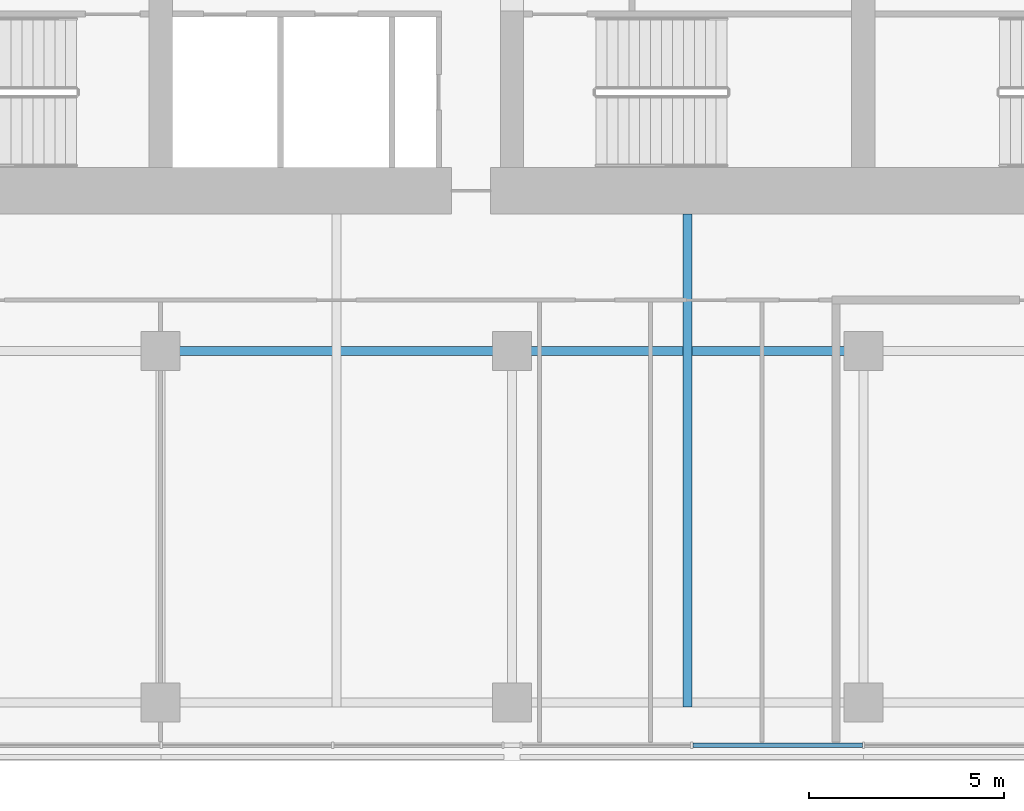
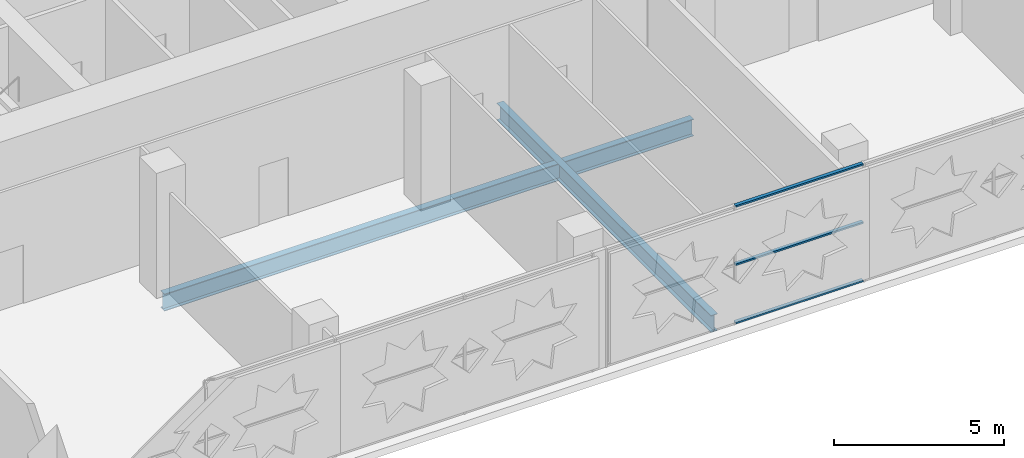
# One storey, part 3 of 21: 3 members, 2 beams, 1 element without a shape of its own.
"""IFC4 building model written with IfcOpenShell, lengths in metres."""

from ifc_helpers import new_model, si_unit, direction, frame, origin, origin_2d, place, context, subcontext, project, spatial, rectangle, i_section, extrude, material, material_profile, profile_set, type_object, element, aggregate, save


model = new_model("IFC4")

# Units and contexts
model_context = context("Model", 3, precision=1e-05, world=origin(), true_north=direction((0.0, 1.0)))
body_context = subcontext(model_context, "Body", "Model", "MODEL_VIEW")
ifc_project = project(units=[si_unit("LENGTHUNIT", "METRE"), si_unit("AREAUNIT", "SQUARE_METRE"), si_unit("VOLUMEUNIT", "CUBIC_METRE"), si_unit("PLANEANGLEUNIT", "RADIAN"), si_unit("MASSUNIT", "GRAM", prefix="KILO")], contexts=[model_context])

# Site, building, storey
site_placement = place(None, origin())
site = spatial("IfcSite", under=ifc_project, at=site_placement, CompositionType="ELEMENT")
building_placement = place(site_placement, origin())
building = spatial("IfcBuilding", under=site, at=building_placement, Name="Zellij Exchange Tower", CompositionType="ELEMENT")
storey_placement = place(building_placement, frame((0.0, 0.0, 43.5)))
storey = spatial("IfcBuildingStorey", under=building, at=storey_placement, Name="L07", CompositionType="ELEMENT", Elevation=43.5)

# Curtain wall, members
ifc_material_1 = material(Name="Aluminium frame, clear insulating glass", Category="aluminium")
curtain_wall_type = type_object("IfcCurtainWallType", Name="ENV-CW1 Sky-garden glazing", PredefinedType="NOTDEFINED", material=ifc_material_1)
curtain_wall_placement = place(storey_placement, origin())
curtain_wall = element("IfcCurtainWall", 1, at=curtain_wall_placement, inside=storey, type_object=curtain_wall_type, Name="cw.L07.00b", PredefinedType="NOTDEFINED")
ifc_material_2 = material(Name="Aluminium", Category="aluminium")
ifc_material_profile_1 = material_profile(ifc_material_2, rectangle(XDim=0.1201171875, YDim=0.06005859375, at=origin_2d()), Name="AL 120x60")
ifc_profile_set_1 = profile_set([ifc_material_profile_1], Name="Aluminium")
member_type = type_object("IfcMemberType", Name="ENV-CW1T Transom 120x60", PredefinedType="USERDEFINED", material=ifc_profile_set_1)
member_1_placement = place(storey_placement, frame((-4.3701171875, -27.60009765625, 0.030029296875), z_axis=(1.0, 0.0, 0.0), x_axis=(0.0, 1.0, 0.0)))
member_1 = element("IfcMember", 2, at=member_1_placement, type_object=member_type, Name="CW1 transom 2.1", ObjectType="TRANSOM", PredefinedType="USERDEFINED", context=body_context, shape_type="SweptSolid", body=[
    extrude(rectangle(XDim=0.1201171875, YDim=0.06005859375, at=origin_2d()), origin(), (0.0, 0.0, 1.0), 4.340087890625),
])
member_2_placement = place(storey_placement, frame((-4.3701171875, -27.60009765625, 2.125), z_axis=(1.0, 0.0, 0.0), x_axis=(0.0, 1.0, 0.0)))
member_2 = element("IfcMember", 3, at=member_2_placement, type_object=member_type, Name="CW1 transom 2.2", ObjectType="TRANSOM", PredefinedType="USERDEFINED", context=body_context, shape_type="SweptSolid", body=[
    extrude(rectangle(XDim=0.1201171875, YDim=0.06005859375, at=origin_2d()), origin(), (0.0, 0.0, 1.0), 4.340087890625),
])
member_3_placement = place(storey_placement, frame((-4.3701171875, -27.60009765625, 4.219970703125), z_axis=(1.0, 0.0, 0.0), x_axis=(0.0, 1.0, 0.0)))
member_3 = element("IfcMember", 4, at=member_3_placement, type_object=member_type, Name="CW1 transom 2.3", ObjectType="TRANSOM", PredefinedType="USERDEFINED", context=body_context, shape_type="SweptSolid", body=[
    extrude(rectangle(XDim=0.1201171875, YDim=0.06005859375, at=origin_2d()), origin(), (0.0, 0.0, 1.0), 4.340087890625),
])
aggregate(curtain_wall, [member_1, member_2, member_3])

# Beams
ifc_material_3 = material(Name="Structural steel ASTM A992 Gr 50", Category="steel")
ifc_material_profile_2 = material_profile(ifc_material_3, i_section(OverallWidth=0.22900390625, OverallDepth=0.612060546875, WebThickness=0.011962890625, FlangeThickness=0.01953125, at=origin_2d()), Name="W24x84")
ifc_profile_set_2 = profile_set([ifc_material_profile_2], Name="Structural steel ASTM A992 Gr 50")
beam_type_1 = type_object("IfcBeamType", Name="STR-BEAM W24x84", PredefinedType="BEAM", material=ifc_profile_set_2)
beam_1_placement = place(storey_placement, frame((-4.5, -26.614501953125, -0.55615234375), z_axis=(0.0, 1.0, 0.0), x_axis=(-1.0, 0.0, 0.0)))
element("IfcBeam", 5, at=beam_1_placement, inside=storey, type_object=beam_type_1, Name="B6", PredefinedType="BEAM", context=body_context, shape_type="SweptSolid", body=[
    extrude(i_section(OverallWidth=0.22900390625, OverallDepth=0.612060546875, WebThickness=0.011962890625, FlangeThickness=0.01953125, at=origin_2d()), origin(), (0.0, 0.0, 1.0), 12.614501953125),
])
ifc_material_profile_3 = material_profile(ifc_material_3, i_section(OverallWidth=0.22900390625, OverallDepth=0.612060546875, WebThickness=0.011962890625, FlangeThickness=0.01953125, at=origin_2d()), Name="W24x84")
ifc_profile_set_3 = profile_set([ifc_material_profile_3], Name="Structural steel ASTM A992 Gr 50")
beam_type_2 = type_object("IfcBeamType", Name="STR-GIRDER W24x84", PredefinedType="BEAM", material=ifc_profile_set_3)
beam_2_placement = place(storey_placement, frame((-18.0, -17.5, -0.55615234375), z_axis=(1.0, 0.0, 0.0), x_axis=(0.0, 1.0, 0.0)))
element("IfcBeam", 6, at=beam_2_placement, inside=storey, type_object=beam_type_2, Name="G4", PredefinedType="BEAM", context=body_context, shape_type="SweptSolid", body=[
    extrude(i_section(OverallWidth=0.22900390625, OverallDepth=0.612060546875, WebThickness=0.011962890625, FlangeThickness=0.01953125, at=origin_2d()), origin(), (0.0, 0.0, 1.0), 18.0),
])

save(model, "model.ifc")
